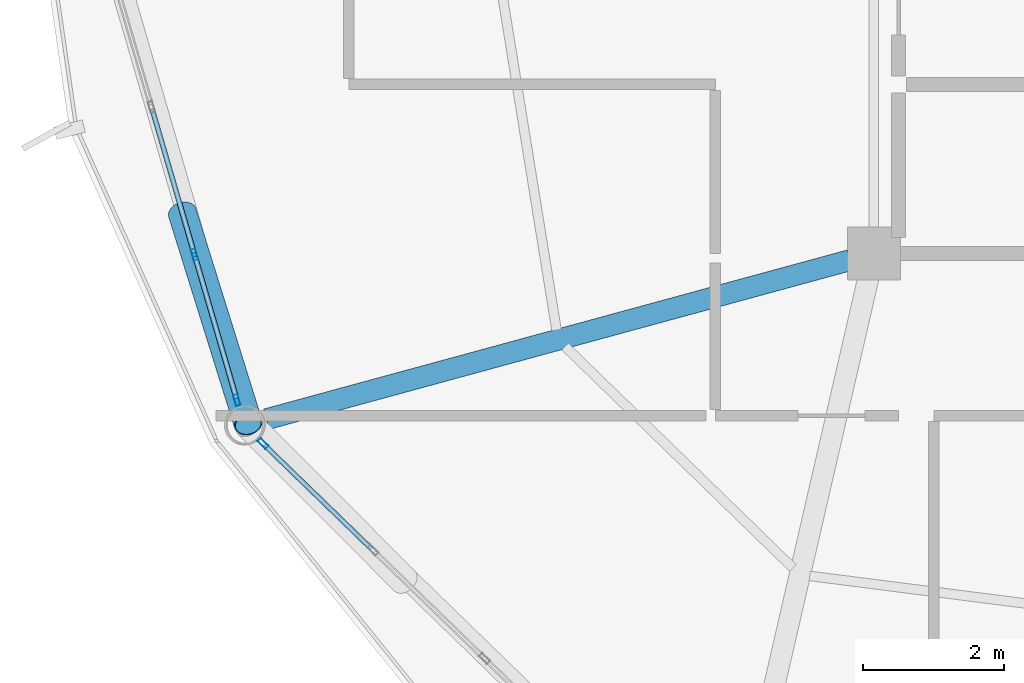
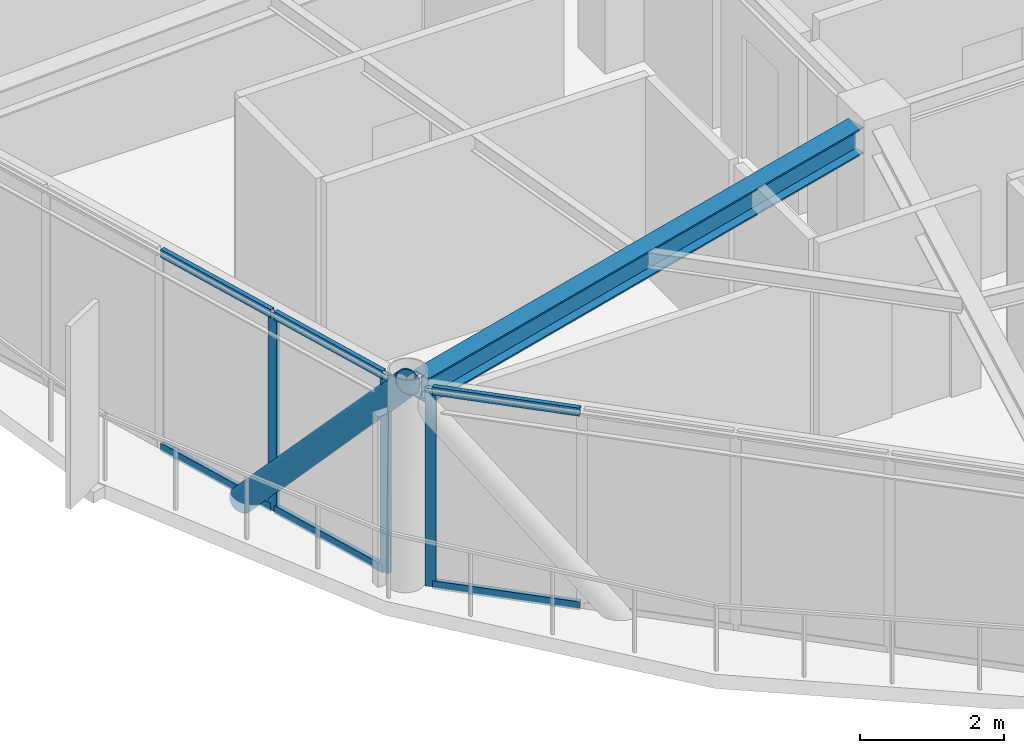
# One storey, part 4 of 27: 10 members, 1 beam, 2 elements without a shape of their own.
"""IFC4 building model written with IfcOpenShell, lengths in metres."""

from ifc_helpers import new_model, si_unit, direction, frame, origin, origin_2d, place, context, subcontext, project, spatial, hollow_rectangle, hollow_circle, i_section, extrude, material, layer, layer_set, material_profile, profile_set, type_object, element, aggregate, save


model = new_model("IFC4")

# Units and contexts
model_context = context("Model", 3, precision=1e-05, world=origin(), true_north=direction((0.0, 1.0)))
body_context = subcontext(model_context, "Body", "Model", "MODEL_VIEW")
ifc_project = project(units=[si_unit("LENGTHUNIT", "METRE"), si_unit("AREAUNIT", "SQUARE_METRE"), si_unit("VOLUMEUNIT", "CUBIC_METRE"), si_unit("PLANEANGLEUNIT", "RADIAN"), si_unit("MASSUNIT", "GRAM", prefix="KILO")], contexts=[model_context])

# Site, building, storey
site_placement = place(None, origin())
site = spatial("IfcSite", under=ifc_project, at=site_placement, CompositionType="ELEMENT")
building_placement = place(site_placement, origin())
building = spatial("IfcBuilding", under=site, at=building_placement, Name="Varnakorn Sky Granary", CompositionType="ELEMENT")
storey_placement = place(building_placement, frame((0.0, 0.0, 232.800048828125)))
storey = spatial("IfcBuildingStorey", under=building, at=storey_placement, Name="L59", CompositionType="ELEMENT", Elevation=232.800048828125)

# Beam
ifc_material_1 = material(Name="Steel S355JR", Category="steel")
ifc_material_profile_1 = material_profile(ifc_material_1, i_section(OverallWidth=0.300048828125, OverallDepth=0.449951171875, WebThickness=0.013916015625, FlangeThickness=0.02587890625, at=origin_2d()), Name="HE 450 B")
ifc_profile_set_1 = profile_set([ifc_material_profile_1], Name="Steel S355JR")
beam_type = type_object("IfcBeamType", Name="BM-RAD-Z5", PredefinedType="BEAM", material=ifc_profile_set_1)
beam_placement = place(storey_placement, frame((-2.6923828125, -6.693359375, 3.135009765625), z_axis=(-0.964797300867, -0.262994616371, 0.0), x_axis=(0.262994616371, -0.964797300867, 0.0)))
element("IfcBeam", 1, at=beam_placement, inside=storey, type_object=beam_type, Name="Radial Floor Girder RG08 L59", PredefinedType="BEAM", context=body_context, shape_type="SweptSolid", body=[
    extrude(i_section(OverallWidth=0.300048828125, OverallDepth=0.449951171875, WebThickness=0.013916015625, FlangeThickness=0.02587890625, at=origin_2d()), origin(), (0.0, 0.0, 1.0), 8.580322265625),
])

# Curtain wall, members
ifc_material_2 = material(Name="Anodised Bronze Aluminium Alloy 6063-T6", Category="aluminium")
ifc_layer = layer(ifc_material_2, 0.169921875, Name="Anodised Bronze Aluminium Alloy 6063-T6")
ifc_layer_set = layer_set([ifc_layer], Name="Anodised Bronze Aluminium Alloy 6063-T6")
curtain_wall_type = type_object("IfcCurtainWallType", Name="CW-LAB-1", PredefinedType="USERDEFINED", material=ifc_layer_set)
curtain_wall_1_placement = place(storey_placement, origin())
curtain_wall_1 = element("IfcCurtainWall", 2, at=curtain_wall_1_placement, inside=storey, type_object=curtain_wall_type, Name="Unitised Curtain Wall CW5 CW-L59-B07", ObjectType="CURTAIN WALL", PredefinedType="USERDEFINED")
ifc_material_profile_2 = material_profile(ifc_material_2, hollow_rectangle(XDim=0.06494140625, YDim=0.159912109375, WallThickness=0.00341796875, at=origin_2d()), Name="ALU MULL 65x160")
ifc_profile_set_2 = profile_set([ifc_material_profile_2], Name="Anodised Bronze Aluminium Alloy 6063-T6")
member_type_1 = type_object("IfcMemberType", Name="CW-LAB-1-MULL", PredefinedType="MULLION", material=ifc_profile_set_2)
member_1_placement = place(storey_placement, frame((-11.388916015625, -8.67919921875, 0.0), z_axis=(0.0, 0.0, 1.0), x_axis=(-0.960128537246, -0.27955892396, 0.0)))
member_1 = element("IfcMember", 3, at=member_1_placement, type_object=member_type_1, Name="CW5 mullion 1", PredefinedType="MULLION", context=body_context, shape_type="SweptSolid", body=[
    extrude(hollow_rectangle(XDim=0.06494140625, YDim=0.159912109375, WallThickness=0.00341796875, at=origin_2d()), origin(), (0.0, 0.0, 1.0), 3.35986328125),
])
member_2_placement = place(storey_placement, frame((-11.990234375, -6.6142578125, 0.0), z_axis=(0.0, 0.0, 1.0), x_axis=(-0.960128537246, -0.27955892396, 0.0)))
member_2 = element("IfcMember", 4, at=member_2_placement, type_object=member_type_1, Name="CW5 mullion 2", PredefinedType="MULLION", context=body_context, shape_type="SweptSolid", body=[
    extrude(hollow_rectangle(XDim=0.06494140625, YDim=0.159912109375, WallThickness=0.00341796875, at=origin_2d()), origin(), (0.0, 0.0, 1.0), 3.35986328125),
])

# Curtain wall, member
curtain_wall_2_placement = place(storey_placement, origin())
curtain_wall_2 = element("IfcCurtainWall", 5, at=curtain_wall_2_placement, inside=storey, type_object=curtain_wall_type, Name="Unitised Curtain Wall CW5 CW-L59-B08", ObjectType="CURTAIN WALL", PredefinedType="USERDEFINED")
member_3_placement = place(storey_placement, frame((-11.017822265625, -9.29541015625, 0.0), z_axis=(0.0, 0.0, 1.0), x_axis=(-0.696278954574, -0.717771284893, 0.0)))
member_3 = element("IfcMember", 6, at=member_3_placement, type_object=member_type_1, Name="CW5 mullion 5", PredefinedType="MULLION", context=body_context, shape_type="SweptSolid", body=[
    extrude(hollow_rectangle(XDim=0.06494140625, YDim=0.159912109375, WallThickness=0.00341796875, at=origin_2d()), origin(), (0.0, 0.0, 1.0), 3.35986328125),
])

# Member
ifc_material_profile_3 = material_profile(ifc_material_2, hollow_rectangle(XDim=0.070068359375, YDim=0.139892578125, WallThickness=0.00341796875, at=origin_2d()), Name="ALU TRAN 70x140")
ifc_profile_set_3 = profile_set([ifc_material_profile_3], Name="Anodised Bronze Aluminium Alloy 6063-T6")
member_type_2 = type_object("IfcMemberType", Name="CW-LAB-1-TRAN", PredefinedType="USERDEFINED", material=ifc_profile_set_3)
member_4_placement = place(storey_placement, frame((-11.39794921875, -8.648193359375, 0.034912109375), z_axis=(-0.279510048439, 0.960142766895, 0.0), x_axis=(-0.960142766895, -0.279510048439, 0.0)))
member_4 = element("IfcMember", 7, at=member_4_placement, type_object=member_type_2, Name="CW5 transom 1.1", ObjectType="TRANSOM", PredefinedType="USERDEFINED", context=body_context, shape_type="SweptSolid", body=[
    extrude(hollow_rectangle(XDim=0.070068359375, YDim=0.139892578125, WallThickness=0.00341796875, at=origin_2d()), origin(), (0.0, 0.0, 1.0), 2.0859375),
])

member_5_placement = place(storey_placement, frame((-11.39794921875, -8.648193359375, 3.324951171875), z_axis=(-0.279510048439, 0.960142766895, 0.0), x_axis=(-0.960142766895, -0.279510048439, 0.0)))
member_5 = element("IfcMember", 8, at=member_5_placement, type_object=member_type_2, Name="CW5 transom 1.2", ObjectType="TRANSOM", PredefinedType="USERDEFINED", context=body_context, shape_type="SweptSolid", body=[
    extrude(hollow_rectangle(XDim=0.070068359375, YDim=0.139892578125, WallThickness=0.00341796875, at=origin_2d()), origin(), (0.0, 0.0, 1.0), 2.0859375),
])

member_6_placement = place(storey_placement, frame((-11.999267578125, -6.583251953125, 0.034912109375), z_axis=(-0.279513092526, 0.960141880717, 0.0), x_axis=(-0.960141880717, -0.279513092526, 0.0)))
member_6 = element("IfcMember", 9, at=member_6_placement, type_object=member_type_2, Name="CW5 transom 2.1", ObjectType="TRANSOM", PredefinedType="USERDEFINED", context=body_context, shape_type="SweptSolid", body=[
    extrude(hollow_rectangle(XDim=0.070068359375, YDim=0.139892578125, WallThickness=0.00341796875, at=origin_2d()), origin(), (0.0, 0.0, 1.0), 2.1181640625),
])

member_7_placement = place(storey_placement, frame((-11.999267578125, -6.583251953125, 3.324951171875), z_axis=(-0.279513092526, 0.960141880717, 0.0), x_axis=(-0.960141880717, -0.279513092526, 0.0)))
member_7 = element("IfcMember", 10, at=member_7_placement, type_object=member_type_2, Name="CW5 transom 2.2", ObjectType="TRANSOM", PredefinedType="USERDEFINED", context=body_context, shape_type="SweptSolid", body=[
    extrude(hollow_rectangle(XDim=0.070068359375, YDim=0.139892578125, WallThickness=0.00341796875, at=origin_2d()), origin(), (0.0, 0.0, 1.0), 2.1181640625),
])

aggregate(curtain_wall_1, [member_1, member_2, member_4, member_5, member_6, member_7])

member_8_placement = place(storey_placement, frame((-9.4814453125, -10.785888671875, 0.034912109375), z_axis=(-0.717795152557, 0.696254349334, 0.0), x_axis=(-0.696254349334, -0.717795152557, 0.0)))
member_8 = element("IfcMember", 11, at=member_8_placement, type_object=member_type_2, Name="CW5 transom 4.1", ObjectType="TRANSOM", PredefinedType="USERDEFINED", context=body_context, shape_type="SweptSolid", body=[
    extrude(hollow_rectangle(XDim=0.070068359375, YDim=0.139892578125, WallThickness=0.00341796875, at=origin_2d()), origin(), (0.0, 0.0, 1.0), 2.108154296875),
])

member_9_placement = place(storey_placement, frame((-9.4814453125, -10.785888671875, 3.324951171875), z_axis=(-0.717795152557, 0.696254349334, 0.0), x_axis=(-0.696254349334, -0.717795152557, 0.0)))
member_9 = element("IfcMember", 12, at=member_9_placement, type_object=member_type_2, Name="CW5 transom 4.2", ObjectType="TRANSOM", PredefinedType="USERDEFINED", context=body_context, shape_type="SweptSolid", body=[
    extrude(hollow_rectangle(XDim=0.070068359375, YDim=0.139892578125, WallThickness=0.00341796875, at=origin_2d()), origin(), (0.0, 0.0, 1.0), 2.108154296875),
])

aggregate(curtain_wall_2, [member_3, member_8, member_9])

ifc_material_3 = material(Name="Steel S460M", Category="steel")
ifc_material_profile_4 = material_profile(ifc_material_3, hollow_circle(Radius=0.203125, WallThickness=0.01611328125, at=origin_2d()), Name="CHS 406.4x16")
ifc_profile_set_4 = profile_set([ifc_material_profile_4], Name="Steel S460M")
member_type_3 = type_object("IfcMemberType", Name="MB-DIAG-T4", PredefinedType="BRACE", material=ifc_profile_set_4)
member_10_placement = place(storey_placement, frame((-12.161865234375, -6.0244140625, -0.130126953125), z_axis=(0.199391427738, -0.638177415991, 0.743621304336), x_axis=(0.954496589458, 0.298221831382, 0.0)))
element("IfcMember", 13, at=member_10_placement, inside=storey, type_object=member_type_3, Name="Perimeter CHS Diagrid Brace DG07 L59", PredefinedType="BRACE", context=body_context, shape_type="SweptSolid", body=[
    extrude(hollow_circle(Radius=0.203125, WallThickness=0.01611328125, at=origin_2d()), origin(), (0.0, 0.0, 1.0), 4.693115234375),
])

save(model, "model.ifc")
